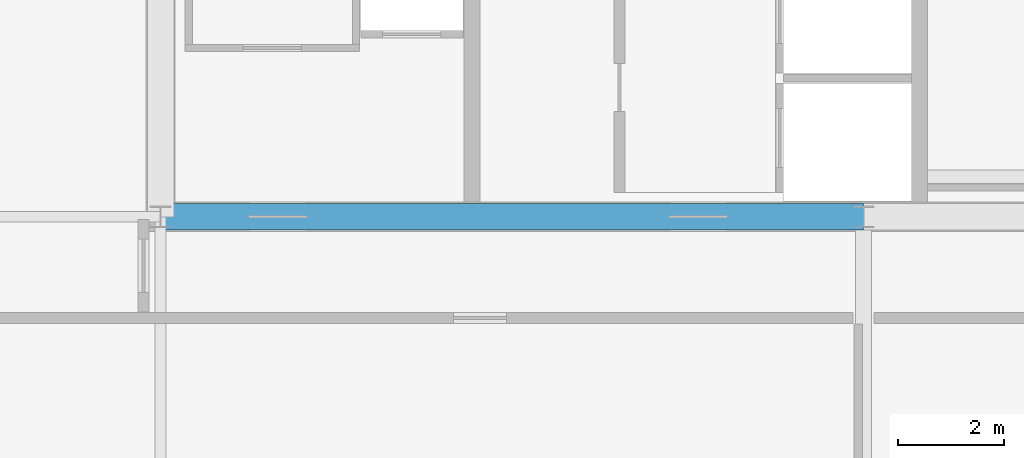
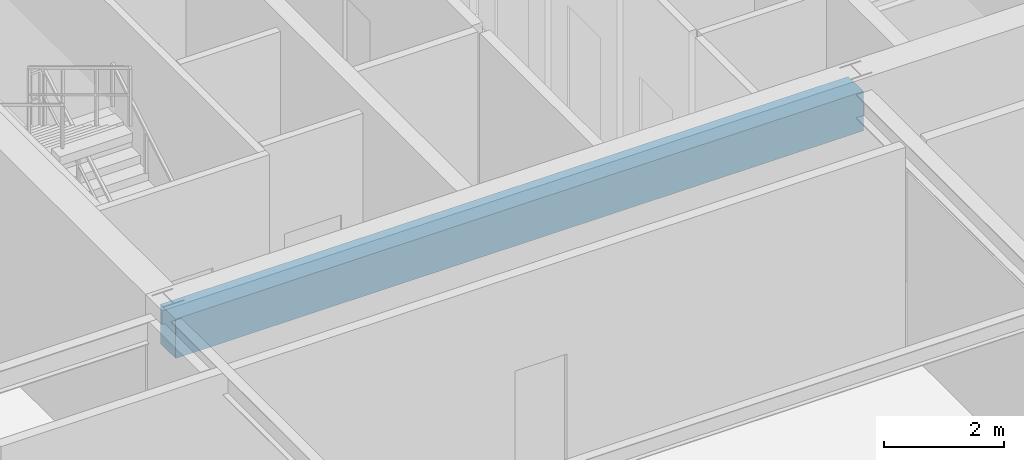
# One storey, part 7 of 26: 1 beam.
"""IFC4 building model written with IfcOpenShell, lengths in metres."""

from ifc_helpers import new_model, si_unit, direction, frame, origin, origin_2d, place, context, subcontext, project, spatial, rectangle, extrude, source, transform, mapped, material, material_profile, profile_set, type_object, element, save


model = new_model("IFC4")

# Units and contexts
model_context = context("Model", 3, precision=1e-05, world=origin(), true_north=direction((0.0, 1.0)))
body_context = subcontext(model_context, "Body", "Model", "MODEL_VIEW")
ifc_project = project(units=[si_unit("LENGTHUNIT", "METRE"), si_unit("AREAUNIT", "SQUARE_METRE"), si_unit("VOLUMEUNIT", "CUBIC_METRE"), si_unit("PLANEANGLEUNIT", "RADIAN"), si_unit("MASSUNIT", "GRAM", prefix="KILO"), si_unit("THERMODYNAMICTEMPERATUREUNIT", "KELVIN"), si_unit("POWERUNIT", "WATT")], contexts=[model_context])

# Site, building, storey
site_placement = place(None, origin())
site = spatial("IfcSite", under=ifc_project, at=site_placement, CompositionType="ELEMENT")
building_placement = place(site_placement, origin())
building = spatial("IfcBuilding", under=site, at=building_placement, Name="Yuzanri Waterfront Tower", CompositionType="ELEMENT")
storey_placement = place(building_placement, frame((0.0, 0.0, 259.10009765625)))
storey = spatial("IfcBuildingStorey", under=building, at=storey_placement, Name="L69", CompositionType="ELEMENT", Elevation=259.10009765625)

# Beam
ifc_material = material(Name="Concrete C50", Category="concrete")
ifc_material_profile = material_profile(ifc_material, rectangle(XDim=0.5, YDim=0.800048828125, at=origin_2d()), Name="RC 500x800")
ifc_profile_set = profile_set([ifc_material_profile], Name="Concrete C50")
beam_type = type_object("IfcBeamType", Name="Core Coupling Lintel Concrete C50 500x800", PredefinedType="LINTEL", material=ifc_profile_set)
shared_shape = source(origin(), body_context, "Body", "SweptSolid", [
    extrude(rectangle(XDim=0.5, YDim=0.800048828125, at=origin_2d()), origin(), (0.0, 0.0, 1.0), 13.199951171875),
])
beam_placement = place(storey_placement, frame((23.800048828125, 19.39990234375, 3.719970703125), z_axis=(1.0, 0.0, 0.0), x_axis=(0.0, 1.0, 0.0)))
element("IfcBeam", 1, at=beam_placement, inside=storey, type_object=beam_type, Name="L69 Core Tie Beam CS1", PredefinedType="LINTEL", context=body_context, shape_type="MappedRepresentation", body=[
    mapped(shared_shape, transform((0.0, 0.0, 0.0), scale=1.0)),
])

save(model, "model.ifc")
